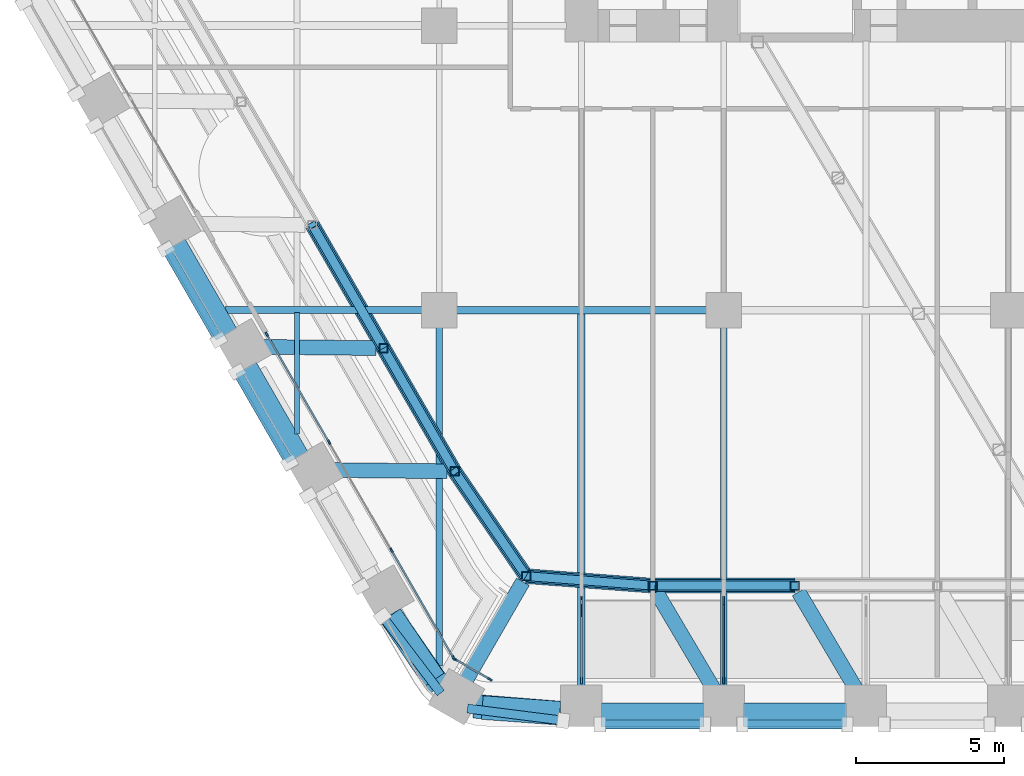
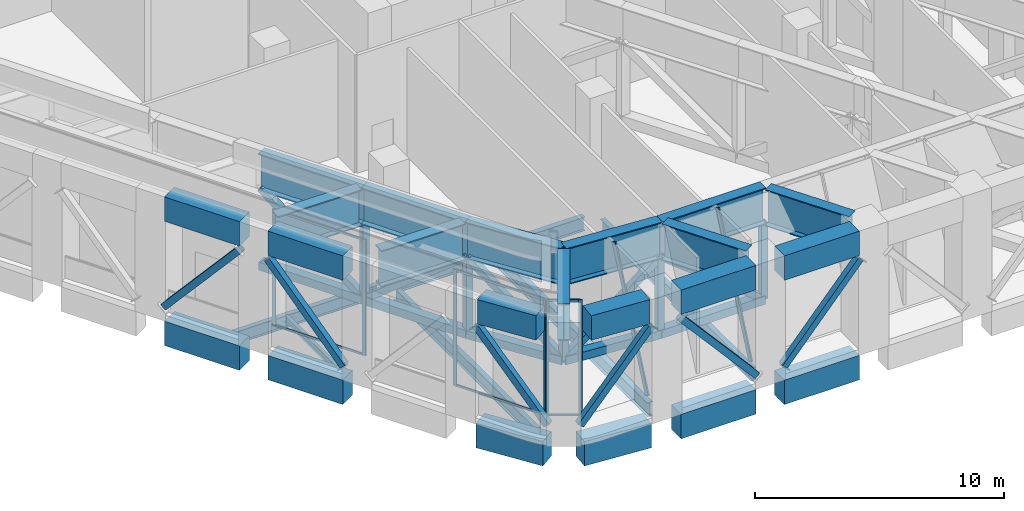
# One storey, part 2 of 35: 35 members, 28 beams, 3 elements without a shape of their own.
"""IFC4 building model written with IfcOpenShell, lengths in metres."""

from ifc_helpers import new_model, si_unit, direction, frame, origin, origin_2d, place, context, subcontext, project, spatial, rectangle, hollow_rectangle, i_section, extrude, material, material_profile, profile_set, type_object, element, aggregate, save


model = new_model("IFC4")

# Units and contexts
model_context = context("Model", 3, precision=1e-05, world=origin(), true_north=direction((0.0, 1.0)))
body_context = subcontext(model_context, "Body", "Model", "MODEL_VIEW")
ifc_project = project(units=[si_unit("LENGTHUNIT", "METRE"), si_unit("AREAUNIT", "SQUARE_METRE"), si_unit("VOLUMEUNIT", "CUBIC_METRE"), si_unit("PLANEANGLEUNIT", "RADIAN"), si_unit("MASSUNIT", "GRAM", prefix="KILO")], contexts=[model_context])

# Site, building, storey
site_placement = place(None, origin())
site = spatial("IfcSite", under=ifc_project, at=site_placement, CompositionType="ELEMENT")
building_placement = place(site_placement, origin())
building = spatial("IfcBuilding", under=site, at=building_placement, Name="Kolab Exchange Tower", CompositionType="ELEMENT")
storey_placement = place(building_placement, frame((0.0, 0.0, 71.89990234375)))
storey = spatial("IfcBuildingStorey", under=building, at=storey_placement, Name="L13", CompositionType="ELEMENT", Elevation=71.89990234375)

# Members
ifc_material_1 = material(Name="Steel S355", Category="steel")
ifc_material_profile_1 = material_profile(ifc_material_1, hollow_rectangle(XDim=0.300048828125, YDim=0.300048828125, WallThickness=0.01611328125, at=origin_2d()), Name="HSS300X300X16")
ifc_profile_set_1 = profile_set([ifc_material_profile_1], Name="Steel S355")
member_type_1 = type_object("IfcMemberType", Name="BELT TRUSS BRACE HSS300X300X16", PredefinedType="BRACE", material=ifc_profile_set_1)
member_1_placement = place(storey_placement, frame((-7.199951171875, -28.49853515625, 0.25), z_axis=(-0.788027411976, 0.0, 0.615640152991), x_axis=(0.0, -1.0, 0.0)))
element("IfcMember", 1, at=member_1_placement, inside=storey, type_object=member_type_1, Name="mem/L13/ring/d-F4-06", PredefinedType="BRACE", context=body_context, shape_type="SweptSolid", body=[
    extrude(hollow_rectangle(XDim=0.300048828125, YDim=0.300048828125, WallThickness=0.01611328125, at=origin_2d()), origin(), (0.0, 0.0, 1.0), 6.09130859375),
])
for number, where, z_axis, x_axis, name in (
    (2, (-12.0, -28.49853515625, 4.0), (-0.750009259501, 0.056504902166, -0.659009337334), (-0.075126035074, -0.99717404642, 0.0), "mem/L13/ring/d-F4-07"),
    (3, (-16.267822265625, -28.177001953125, 0.25), (-0.423966788791, 0.621277379932, 0.658989058473), (-0.825999194724, -0.563671296338, 0.0), "mem/L13/ring/d-F5-01"),
):
    element("IfcMember", number, at=place(storey_placement, frame(where, z_axis=z_axis, x_axis=x_axis)), inside=storey, type_object=member_type_1, Name=name, PredefinedType="BRACE", context=body_context, shape_type="SweptSolid", body=[
        extrude(hollow_rectangle(XDim=0.300048828125, YDim=0.300048828125, WallThickness=0.01611328125, at=origin_2d()), origin(), (0.0, 0.0, 1.0), 5.6904296875),
    ])
member_2_placement = place(storey_placement, frame((-18.680419921875, -24.6416015625, 4.0), z_axis=(-0.393995973328, 0.682458742407, -0.615643758934), x_axis=(-0.866037363387, -0.499979284789, 0.0)))
element("IfcMember", 4, at=member_2_placement, inside=storey, type_object=member_type_1, Name="mem/L13/ring/d-F5-02", PredefinedType="BRACE", context=body_context, shape_type="SweptSolid", body=[
    extrude(hollow_rectangle(XDim=0.300048828125, YDim=0.300048828125, WallThickness=0.01611328125, at=origin_2d()), origin(), (0.0, 0.0, 1.0), 6.091064453125),
])
member_3_placement = place(storey_placement, frame((-21.080322265625, -20.484619140625, 0.25), z_axis=(-0.394029831617, 0.682447964901, 0.615634036582), x_axis=(-0.866015339567, -0.500017431331, 0.0)))
element("IfcMember", 5, at=member_3_placement, inside=storey, type_object=member_type_1, Name="mem/L13/ring/d-F5-03", PredefinedType="BRACE", context=body_context, shape_type="SweptSolid", body=[
    extrude(hollow_rectangle(XDim=0.300048828125, YDim=0.300048828125, WallThickness=0.01611328125, at=origin_2d()), origin(), (0.0, 0.0, 1.0), 6.09130859375),
])
for number, where, z_axis, x_axis, name in (
    (6, (-5.433837890625, -33.1796875, 4.4501953125), (-0.65728476619, 0.0, -0.753642313127), (0.0, -1.0, 0.0), "mem/L13/fb/F4-06"),
    (7, (-10.23388671875, -33.1796875, 0.400146484375), (-0.65728476619, 0.0, 0.753642313127), (0.0, -1.0, 0.0), "mem/L13/fb/F4-07"),
):
    element("IfcMember", number, at=place(storey_placement, frame(where, z_axis=z_axis, x_axis=x_axis)), inside=storey, type_object=member_type_1, Name=name, PredefinedType="BRACE", context=body_context, shape_type="SweptSolid", body=[
        extrude(hollow_rectangle(XDim=0.300048828125, YDim=0.300048828125, WallThickness=0.01611328125, at=origin_2d()), origin(), (0.0, 0.0, 1.0), 5.3740234375),
    ])
for number, where, z_axis, x_axis, name in (
    (8, (-15.029296875, -33.052734375, 4.4501953125), (-0.605882230288, 0.076660116745, -0.791852227074), (-0.125525655119, -0.992090373861, 0.0), "mem/L13/fb/F4-08"),
    (9, (-19.220947265625, -32.02978515625, 0.400146484375), (-0.369353435325, 0.486393319457, 0.791833049703), (-0.7964030968, -0.604766159278, 0.0), "mem/L13/fb/F5-01"),
):
    element("IfcMember", number, at=place(storey_placement, frame(where, z_axis=z_axis, x_axis=x_axis)), inside=storey, type_object=member_type_1, Name=name, PredefinedType="BRACE", context=body_context, shape_type="SweptSolid", body=[
        extrude(hollow_rectangle(XDim=0.300048828125, YDim=0.300048828125, WallThickness=0.01611328125, at=origin_2d()), origin(), (0.0, 0.0, 1.0), 5.11474609375),
    ])
member_4_placement = place(storey_placement, frame((-24.251220703125, -24.354736328125, 0.400146484375), z_axis=(-0.328679977978, 0.569227384114, 0.753624347571), x_axis=(-0.866001427184, -0.500041526391, 0.0)))
element("IfcMember", 10, at=member_4_placement, inside=storey, type_object=member_type_1, Name="mem/L13/fb/F5-03", PredefinedType="BRACE", context=body_context, shape_type="SweptSolid", body=[
    extrude(hollow_rectangle(XDim=0.300048828125, YDim=0.300048828125, WallThickness=0.01611328125, at=origin_2d()), origin(), (0.0, 0.0, 1.0), 5.3740234375),
])
member_5_placement = place(storey_placement, frame((-26.6513671875, -20.19775390625, 4.4501953125), z_axis=(-0.328647954349, 0.569205172801, -0.753655089121), x_axis=(-0.866014075672, -0.500019620354, 0.0)))
element("IfcMember", 11, at=member_5_placement, inside=storey, type_object=member_type_1, Name="mem/L13/fb/F5-04", PredefinedType="BRACE", context=body_context, shape_type="SweptSolid", body=[
    extrude(hollow_rectangle(XDim=0.300048828125, YDim=0.300048828125, WallThickness=0.01611328125, at=origin_2d()), origin(), (0.0, 0.0, 1.0), 5.373779296875),
])
ifc_material_profile_2 = material_profile(ifc_material_1, hollow_rectangle(XDim=0.39990234375, YDim=0.39990234375, WallThickness=0.02001953125, at=origin_2d()), Name="HSS400X400X20")
ifc_profile_set_2 = profile_set([ifc_material_profile_2], Name="Steel S355")
member_type_2 = type_object("IfcMemberType", Name="BELT TRUSS CHORD HSS400X400X20", PredefinedType="CHORD", material=ifc_profile_set_2)
member_6_placement = place(storey_placement, frame((-7.199951171875, -28.49853515625, 0.25), z_axis=(-1.0, 0.0, 0.0), x_axis=(0.0, -1.0, 0.0)))
element("IfcMember", 12, at=member_6_placement, inside=storey, type_object=member_type_2, Name="mem/L13/ring/c-F4-06", PredefinedType="CHORD", context=body_context, shape_type="SweptSolid", body=[
    extrude(hollow_rectangle(XDim=0.39990234375, YDim=0.39990234375, WallThickness=0.02001953125, at=origin_2d()), origin(), (0.0, 0.0, 1.0), 4.800048828125),
])
for number, where, z_axis, x_axis, name in (
    (13, (-12.0, -28.49853515625, 0.25), (-0.99717404642, 0.075126035074, 0.0), (-0.075126035074, -0.99717404642, 0.0), "mem/L13/ring/c-F4-07"),
    (14, (-16.267822265625, -28.177001953125, 0.25), (-0.563671296338, 0.825999194724, 0.0), (-0.825999194724, -0.563671296338, 0.0), "mem/L13/ring/c-F5-01"),
):
    element("IfcMember", number, at=place(storey_placement, frame(where, z_axis=z_axis, x_axis=x_axis)), inside=storey, type_object=member_type_2, Name=name, PredefinedType="CHORD", context=body_context, shape_type="SweptSolid", body=[
        extrude(hollow_rectangle(XDim=0.39990234375, YDim=0.39990234375, WallThickness=0.02001953125, at=origin_2d()), origin(), (0.0, 0.0, 1.0), 4.280029296875),
    ])
for number, where, z_axis, x_axis, name in (
    (15, (-18.680419921875, -24.6416015625, 0.25), (-0.499979284789, 0.866037363387, 0.0), (-0.866037363387, -0.499979284789, 0.0), "mem/L13/ring/c-F5-02"),
    (16, (-21.080322265625, -20.484619140625, 0.25), (-0.500017431331, 0.866015339567, 0.0), (-0.866015339567, -0.500017431331, 0.0), "mem/L13/ring/c-F5-03"),
):
    element("IfcMember", number, at=place(storey_placement, frame(where, z_axis=z_axis, x_axis=x_axis)), inside=storey, type_object=member_type_2, Name=name, PredefinedType="CHORD", context=body_context, shape_type="SweptSolid", body=[
        extrude(hollow_rectangle(XDim=0.39990234375, YDim=0.39990234375, WallThickness=0.02001953125, at=origin_2d()), origin(), (0.0, 0.0, 1.0), 4.800048828125),
    ])

# Beams
ifc_material_profile_3 = material_profile(ifc_material_1, i_section(OverallWidth=0.5, OverallDepth=1.800048828125, WebThickness=0.031982421875, FlangeThickness=0.050048828125, at=origin_2d()), Name="PG1800X500")
ifc_profile_set_3 = profile_set([ifc_material_profile_3], Name="Steel S355")
beam_type_1 = type_object("IfcBeamType", Name="BELT TRUSS GIRDER PG1800X500", PredefinedType="BEAM", material=ifc_profile_set_3)
beam_1_placement = place(storey_placement, frame((-7.199951171875, -28.49853515625, 4.900146484375), z_axis=(-1.0, 0.0, 0.0), x_axis=(0.0, -1.0, 0.0)))
element("IfcBeam", 17, at=beam_1_placement, inside=storey, type_object=beam_type_1, Name="beam/L13/bg/F4-run4", PredefinedType="BEAM", context=body_context, shape_type="SweptSolid", body=[
    extrude(i_section(OverallWidth=0.5, OverallDepth=1.800048828125, WebThickness=0.031982421875, FlangeThickness=0.050048828125, at=origin_2d()), origin(), (0.0, 0.0, 1.0), 4.800048828125),
])
for number, where, z_axis, x_axis, name in (
    (18, (-12.0, -28.49853515625, 4.900146484375), (-0.99717404642, 0.075126035074, 0.0), (-0.075126035074, -0.99717404642, 0.0), "beam/L13/bg/F4-out"),
    (19, (-16.267822265625, -28.177001953125, 4.900146484375), (-0.563671296338, 0.825999194724, 0.0), (-0.825999194724, -0.563671296338, 0.0), "beam/L13/bg/F5-in"),
):
    element("IfcBeam", number, at=place(storey_placement, frame(where, z_axis=z_axis, x_axis=x_axis)), inside=storey, type_object=beam_type_1, Name=name, PredefinedType="BEAM", context=body_context, shape_type="SweptSolid", body=[
        extrude(i_section(OverallWidth=0.5, OverallDepth=1.800048828125, WebThickness=0.031982421875, FlangeThickness=0.050048828125, at=origin_2d()), origin(), (0.0, 0.0, 1.0), 4.280029296875),
    ])
for number, where, z_axis, x_axis, name in (
    (20, (-18.680419921875, -24.6416015625, 4.900146484375), (-0.499979284789, 0.866037363387, 0.0), (-0.866037363387, -0.499979284789, 0.0), "beam/L13/bg/F5-run0"),
    (21, (-21.080322265625, -20.484619140625, 4.900146484375), (-0.500017431331, 0.866015339567, 0.0), (-0.866015339567, -0.500017431331, 0.0), "beam/L13/bg/F5-run1"),
):
    element("IfcBeam", number, at=place(storey_placement, frame(where, z_axis=z_axis, x_axis=x_axis)), inside=storey, type_object=beam_type_1, Name=name, PredefinedType="BEAM", context=body_context, shape_type="SweptSolid", body=[
        extrude(i_section(OverallWidth=0.5, OverallDepth=1.800048828125, WebThickness=0.031982421875, FlangeThickness=0.050048828125, at=origin_2d()), origin(), (0.0, 0.0, 1.0), 4.800048828125),
    ])

# Members
ifc_material_profile_4 = material_profile(ifc_material_1, hollow_rectangle(XDim=0.300048828125, YDim=0.300048828125, WallThickness=0.01611328125, at=origin_2d()), Name="HSS300X300X16")
ifc_profile_set_4 = profile_set([ifc_material_profile_4], Name="Steel S355")
member_type_3 = type_object("IfcMemberType", Name="BELT TRUSS POST HSS300X300X16", PredefinedType="POST", material=ifc_profile_set_4)
for number, where, z_axis, x_axis, name in (
    (22, (-7.199951171875, -28.49853515625, 0.25), (0.0, 0.0, 1.0), (1.0, 0.0, 0.0), "mem/L13/ring/p-F4-06"),
    (23, (-12.0, -28.49853515625, 0.25), (0.0, 0.0, 1.0), (1.0, 0.0, 0.0), "mem/L13/ring/p-F4-07"),
    (24, (-16.267822265625, -28.177001953125, 0.25), (0.0, 0.0, 1.0), (1.0, 0.0, 0.0), "mem/L13/ring/p-F5-01"),
    (25, (-18.680419921875, -24.6416015625, 0.25), (0.0, 0.0, 1.0), (1.0, 0.0, 0.0), "mem/L13/ring/p-F5-02"),
    (26, (-21.080322265625, -20.484619140625, 0.25), (0.0, 0.0, 1.0), (1.0, 0.0, 0.0), "mem/L13/ring/p-F5-03"),
):
    element("IfcMember", number, at=place(storey_placement, frame(where, z_axis=z_axis, x_axis=x_axis)), inside=storey, type_object=member_type_3, Name=name, PredefinedType="POST", context=body_context, shape_type="SweptSolid", body=[
        extrude(hollow_rectangle(XDim=0.300048828125, YDim=0.300048828125, WallThickness=0.01611328125, at=origin_2d()), origin(), (0.0, 0.0, 1.0), 3.75),
    ])

# Curtain wall, members
ifc_material_2 = material(Name="Aluminium EN AW-6063 T6", Category="aluminium")
curtain_wall_type_1 = type_object("IfcCurtainWallType", Name="CANTED BAND CURTAIN WALL", PredefinedType="NOTDEFINED", material=ifc_material_2)
curtain_wall_1_placement = place(storey_placement, origin())
curtain_wall_1 = element("IfcCurtainWall", 27, at=curtain_wall_1_placement, inside=storey, type_object=curtain_wall_type_1, Name="band/L13/F4", PredefinedType="NOTDEFINED")
ifc_material_profile_5 = material_profile(ifc_material_2, rectangle(XDim=0.06005859375, YDim=0.300048828125, at=origin_2d()), Name="RECT 60X300")
ifc_profile_set_5 = profile_set([ifc_material_profile_5], Name="Aluminium EN AW-6063 T6")
member_type_4 = type_object("IfcMemberType", Name="CANTED BAND MULLION 60 X 300", PredefinedType="MULLION", material=ifc_profile_set_5)
member_7_placement = place(storey_placement, frame((-9.60009765625, -31.67529296875, -0.099853515625), z_axis=(0.0, 0.410847632271, 0.91170402163), x_axis=(-1.0, 0.0, 0.0)))
member_7 = element("IfcMember", 28, at=member_7_placement, type_object=member_type_4, Name="Band mullion", PredefinedType="MULLION", context=body_context, shape_type="SweptSolid", body=[
    extrude(rectangle(XDim=0.06005859375, YDim=0.300048828125, at=origin_2d()), origin(), (0.0, 0.0, 1.0), 6.51513671875),
])
member_8_placement = place(storey_placement, frame((-14.39990234375, -31.67529296875, -0.099853515625), z_axis=(0.0, 0.410847632271, 0.91170402163), x_axis=(-1.0, 0.0, 0.0)))
member_8 = element("IfcMember", 29, at=member_8_placement, type_object=member_type_4, Name="Band mullion", PredefinedType="MULLION", context=body_context, shape_type="SweptSolid", body=[
    extrude(rectangle(XDim=0.06005859375, YDim=0.300048828125, at=origin_2d()), origin(), (0.0, 0.0, 1.0), 6.51513671875),
])
aggregate(curtain_wall_1, [member_7, member_8])

# Beams
ifc_material_profile_6 = material_profile(ifc_material_1, i_section(OverallWidth=0.1650390625, OverallDepth=0.31005859375, WebThickness=0.005859375, FlangeThickness=0.009765625, at=origin_2d()), Name="W310X39")
ifc_profile_set_6 = profile_set([ifc_material_profile_6], Name="Steel S355")
beam_type_2 = type_object("IfcBeamType", Name="FLOOR BEAM W310X39", PredefinedType="BEAM", material=ifc_profile_set_6)
beam_2_placement = place(storey_placement, frame((-24.0, -23.381591796875, -0.454833984375), z_axis=(0.0, 1.0, 0.0), x_axis=(-1.0, 0.0, 0.0)))
element("IfcBeam", 30, at=beam_2_placement, inside=storey, type_object=beam_type_2, Name="beam/L13/fr/006", PredefinedType="BEAM", context=body_context, shape_type="SweptSolid", body=[
    extrude(i_section(OverallWidth=0.1650390625, OverallDepth=0.31005859375, WebThickness=0.005859375, FlangeThickness=0.009765625, at=origin_2d()), origin(), (0.0, 0.0, 1.0), 4.107666015625),
])
ifc_material_profile_7 = material_profile(ifc_material_1, i_section(OverallWidth=0.22802734375, OverallDepth=0.60791015625, WebThickness=0.01123046875, FlangeThickness=0.017333984375, at=origin_2d()), Name="W610X113")
ifc_profile_set_7 = profile_set([ifc_material_profile_7], Name="Steel S355")
beam_type_3 = type_object("IfcBeamType", Name="FLOOR BEAM W610X113", PredefinedType="BEAM", material=ifc_profile_set_7)
beam_3_placement = place(storey_placement, frame((-19.199951171875, -31.214599609375, -0.60400390625), z_axis=(0.0, 1.0, 0.0), x_axis=(-1.0, 0.0, 0.0)))
element("IfcBeam", 31, at=beam_3_placement, inside=storey, type_object=beam_type_3, Name="beam/L13/fr/012", PredefinedType="BEAM", context=body_context, shape_type="SweptSolid", body=[
    extrude(i_section(OverallWidth=0.22802734375, OverallDepth=0.60791015625, WebThickness=0.01123046875, FlangeThickness=0.017333984375, at=origin_2d()), origin(), (0.0, 0.0, 1.0), 11.45458984375),
])
beam_4_placement = place(storey_placement, frame((-9.60009765625, -31.8955078125, -0.60400390625), z_axis=(0.0, 1.0, 0.0), x_axis=(-1.0, 0.0, 0.0)))
element("IfcBeam", 32, at=beam_4_placement, inside=storey, type_object=beam_type_3, Name="beam/L13/fr/022", PredefinedType="BEAM", context=body_context, shape_type="SweptSolid", body=[
    extrude(i_section(OverallWidth=0.22802734375, OverallDepth=0.60791015625, WebThickness=0.01123046875, FlangeThickness=0.017333984375, at=origin_2d()), origin(), (0.0, 0.0, 1.0), 12.135498046875),
])
ifc_material_profile_8 = material_profile(ifc_material_1, i_section(OverallWidth=0.25390625, OverallDepth=0.68408203125, WebThickness=0.012451171875, FlangeThickness=0.018798828125, at=origin_2d()), Name="W690X140")
ifc_profile_set_8 = profile_set([ifc_material_profile_8], Name="Steel S355")
beam_type_4 = type_object("IfcBeamType", Name="FLOOR BEAM W690X140", PredefinedType="BEAM", material=ifc_profile_set_8)
beam_5_placement = place(storey_placement, frame((-14.39990234375, -31.8955078125, -0.641845703125), z_axis=(0.0, 1.0, 0.0), x_axis=(-1.0, 0.0, 0.0)))
element("IfcBeam", 33, at=beam_5_placement, inside=storey, type_object=beam_type_4, Name="beam/L13/fr/018", PredefinedType="BEAM", context=body_context, shape_type="SweptSolid", body=[
    extrude(i_section(OverallWidth=0.25390625, OverallDepth=0.68408203125, WebThickness=0.012451171875, FlangeThickness=0.018798828125, at=origin_2d()), origin(), (0.0, 0.0, 1.0), 12.6083984375),
])
ifc_material_profile_9 = material_profile(ifc_material_1, i_section(OverallWidth=0.22802734375, OverallDepth=0.60791015625, WebThickness=0.01123046875, FlangeThickness=0.017333984375, at=origin_2d()), Name="W610X113")
ifc_profile_set_9 = profile_set([ifc_material_profile_9], Name="Steel S355")
beam_type_5 = type_object("IfcBeamType", Name="FLOOR GIRDER W610X113", PredefinedType="BEAM", material=ifc_profile_set_9)
beam_6_placement = place(storey_placement, frame((-26.43115234375, -19.199951171875, -0.60400390625), z_axis=(1.0, 0.0, 0.0), x_axis=(0.0, 1.0, 0.0)))
element("IfcBeam", 34, at=beam_6_placement, inside=storey, type_object=beam_type_5, Name="beam/L13/gd/004", PredefinedType="BEAM", context=body_context, shape_type="SweptSolid", body=[
    extrude(i_section(OverallWidth=0.22802734375, OverallDepth=0.60791015625, WebThickness=0.01123046875, FlangeThickness=0.017333984375, at=origin_2d()), origin(), (0.0, 0.0, 1.0), 6.671142578125),
])
ifc_material_profile_10 = material_profile(ifc_material_1, i_section(OverallWidth=0.25390625, OverallDepth=0.68408203125, WebThickness=0.012451171875, FlangeThickness=0.018798828125, at=origin_2d()), Name="W690X140")
ifc_profile_set_10 = profile_set([ifc_material_profile_10], Name="Steel S355")
beam_type_6 = type_object("IfcBeamType", Name="FLOOR GIRDER W690X140", PredefinedType="BEAM", material=ifc_profile_set_10)
beam_7_placement = place(storey_placement, frame((-18.639892578125, -19.199951171875, -0.641845703125), z_axis=(1.0, 0.0, 0.0), x_axis=(0.0, 1.0, 0.0)))
element("IfcBeam", 35, at=beam_7_placement, inside=storey, type_object=beam_type_6, Name="beam/L13/gd/006", PredefinedType="BEAM", context=body_context, shape_type="SweptSolid", body=[
    extrude(i_section(OverallWidth=0.25390625, OverallDepth=0.68408203125, WebThickness=0.012451171875, FlangeThickness=0.018798828125, at=origin_2d()), origin(), (0.0, 0.0, 1.0), 8.47998046875),
])
ifc_material_3 = material(Name="Concrete C80/95", Category="concrete")
ifc_material_profile_11 = material_profile(ifc_material_3, rectangle(XDim=0.800048828125, YDim=1.199951171875, at=origin_2d()), Name="RC800X1200")
ifc_profile_set_11 = profile_set([ifc_material_profile_11], Name="Concrete C80/95")
beam_type_7 = type_object("IfcBeamType", Name="SPANDREL BEAM 800X1200 C80/95", PredefinedType="BEAM", material=ifc_profile_set_11)
for number, where, z_axis, x_axis, name in (
    (36, (-5.4599609375, -32.85546875, -0.89990234375), (-1.0, 0.0, 0.0), (0.0, -1.0, 0.0), "beam/L13/sp/F4-06"),
    (37, (-10.260009765625, -32.85546875, -0.89990234375), (-1.0, 0.0, 0.0), (0.0, -1.0, 0.0), "beam/L13/sp/F4-07"),
):
    element("IfcBeam", number, at=place(storey_placement, frame(where, z_axis=z_axis, x_axis=x_axis)), inside=storey, type_object=beam_type_7, Name=name, PredefinedType="BEAM", context=body_context, shape_type="SweptSolid", body=[
        extrude(rectangle(XDim=0.800048828125, YDim=1.199951171875, at=origin_2d()), origin(), (0.0, 0.0, 1.0), 3.47998046875),
    ])
beam_8_placement = place(storey_placement, frame((-15.06005859375, -32.802734375, -0.89990234375), z_axis=(-0.996833978278, 0.07951112973, 0.0), x_axis=(-0.07951112973, -0.996833978278, 0.0)))
element("IfcBeam", 38, at=beam_8_placement, inside=storey, type_object=beam_type_7, Name="beam/L13/sp/F4-08", PredefinedType="BEAM", context=body_context, shape_type="SweptSolid", body=[
    extrude(rectangle(XDim=0.800048828125, YDim=1.199951171875, at=origin_2d()), origin(), (0.0, 0.0, 1.0), 2.984619140625),
])
beam_9_placement = place(storey_placement, frame((-19.18505859375, -31.901611328125, -0.89990234375), z_axis=(-0.567247290755, 0.823547516013, 0.0), x_axis=(-0.823547516013, -0.567247290755, 0.0)))
element("IfcBeam", 39, at=beam_9_placement, inside=storey, type_object=beam_type_7, Name="beam/L13/sp/F5-01", PredefinedType="BEAM", context=body_context, shape_type="SweptSolid", body=[
    extrude(rectangle(XDim=0.800048828125, YDim=1.199951171875, at=origin_2d()), origin(), (0.0, 0.0, 1.0), 2.984375),
])
for number, where, z_axis, x_axis, name in (
    (40, (-23.983642578125, -24.169921875, -0.89990234375), (-0.500009906705, 0.86601968407, 0.0), (-0.86601968407, -0.500009906705, 0.0), "beam/L13/sp/F5-03"),
    (41, (-26.383544921875, -20.012939453125, -0.89990234375), (-0.500009906705, 0.86601968407, 0.0), (-0.86601968407, -0.500009906705, 0.0), "beam/L13/sp/F5-04"),
    (42, (-5.4599609375, -32.85546875, 5.2001953125), (-1.0, 0.0, 0.0), (0.0, -1.0, 0.0), "beam/L13/cp/F4-06"),
    (43, (-10.260009765625, -32.85546875, 5.2001953125), (-1.0, 0.0, 0.0), (0.0, -1.0, 0.0), "beam/L13/cp/F4-07"),
):
    element("IfcBeam", number, at=place(storey_placement, frame(where, z_axis=z_axis, x_axis=x_axis)), inside=storey, type_object=beam_type_7, Name=name, PredefinedType="BEAM", context=body_context, shape_type="SweptSolid", body=[
        extrude(rectangle(XDim=0.800048828125, YDim=1.199951171875, at=origin_2d()), origin(), (0.0, 0.0, 1.0), 3.47998046875),
    ])
beam_10_placement = place(storey_placement, frame((-15.129150390625, -32.802978515625, 5.2001953125), z_axis=(-0.997338344105, 0.072912463799, 0.0), x_axis=(-0.072912463799, -0.997338344105, 0.0)))
element("IfcBeam", 44, at=beam_10_placement, inside=storey, type_object=beam_type_7, Name="beam/L13/cp/F4-08", PredefinedType="BEAM", context=body_context, shape_type="SweptSolid", body=[
    extrude(rectangle(XDim=0.800048828125, YDim=1.199951171875, at=origin_2d()), origin(), (0.0, 0.0, 1.0), 2.625244140625),
])
beam_11_placement = place(storey_placement, frame((-19.368896484375, -31.67529296875, 5.2001953125), z_axis=(-0.561762947401, 0.827298247869, 0.0), x_axis=(-0.827298247869, -0.561762947401, 0.0)))
element("IfcBeam", 45, at=beam_11_placement, inside=storey, type_object=beam_type_7, Name="beam/L13/cp/F5-01", PredefinedType="BEAM", context=body_context, shape_type="SweptSolid", body=[
    extrude(rectangle(XDim=0.800048828125, YDim=1.199951171875, at=origin_2d()), origin(), (0.0, 0.0, 1.0), 2.625),
])
for number, where, z_axis, x_axis, name in (
    (46, (-23.983642578125, -24.169921875, 5.2001953125), (-0.500009906705, 0.86601968407, 0.0), (-0.86601968407, -0.500009906705, 0.0), "beam/L13/cp/F5-03"),
    (47, (-26.383544921875, -20.012939453125, 5.2001953125), (-0.500009906705, 0.86601968407, 0.0), (-0.86601968407, -0.500009906705, 0.0), "beam/L13/cp/F5-04"),
):
    element("IfcBeam", number, at=place(storey_placement, frame(where, z_axis=z_axis, x_axis=x_axis)), inside=storey, type_object=beam_type_7, Name=name, PredefinedType="BEAM", context=body_context, shape_type="SweptSolid", body=[
        extrude(rectangle(XDim=0.800048828125, YDim=1.199951171875, at=origin_2d()), origin(), (0.0, 0.0, 1.0), 3.47998046875),
    ])
ifc_material_profile_12 = material_profile(ifc_material_1, i_section(OverallWidth=0.5, OverallDepth=1.800048828125, WebThickness=0.031982421875, FlangeThickness=0.050048828125, at=origin_2d()), Name="PG1800X500")
ifc_profile_set_12 = profile_set([ifc_material_profile_12], Name="Steel S355")
beam_type_8 = type_object("IfcBeamType", Name="TRANSFER GIRDER PG1800X500", PredefinedType="BEAM", material=ifc_profile_set_12)
for number, where, z_axis, x_axis, name in (
    (48, (-7.07275390625, -28.713623046875, 4.900146484375), (0.509175144826, -0.860662925826, 0.0), (0.860662925826, 0.509175144826, 0.0), "beam/L13/tg/F4-06"),
    (49, (-11.872802734375, -28.713623046875, 4.900146484375), (0.509175144826, -0.860662925826, 0.0), (0.860662925826, 0.509175144826, 0.0), "beam/L13/tg/F4-07"),
):
    element("IfcBeam", number, at=place(storey_placement, frame(where, z_axis=z_axis, x_axis=x_axis)), inside=storey, type_object=beam_type_8, Name=name, PredefinedType="BEAM", context=body_context, shape_type="SweptSolid", body=[
        extrude(i_section(OverallWidth=0.5, OverallDepth=1.800048828125, WebThickness=0.031982421875, FlangeThickness=0.050048828125, at=origin_2d()), origin(), (0.0, 0.0, 1.0), 3.873779296875),
    ])
beam_12_placement = place(storey_placement, frame((-16.3779296875, -28.367431640625, 4.900146484375), z_axis=(-0.500006760876, -0.866021500355, 0.0), x_axis=(0.866021500355, -0.500006760876, 0.0)))
element("IfcBeam", 50, at=beam_12_placement, inside=storey, type_object=beam_type_8, Name="beam/L13/tg/F5-01", PredefinedType="BEAM", context=body_context, shape_type="SweptSolid", body=[
    extrude(i_section(OverallWidth=0.5, OverallDepth=1.800048828125, WebThickness=0.031982421875, FlangeThickness=0.050048828125, at=origin_2d()), origin(), (0.0, 0.0, 1.0), 3.89013671875),
])
beam_13_placement = place(storey_placement, frame((-18.930419921875, -24.638916015625, 4.900146484375), z_axis=(-0.999943937573, 0.010588753956, 0.0), x_axis=(-0.010588753956, -0.999943937573, 0.0)))
element("IfcBeam", 51, at=beam_13_placement, inside=storey, type_object=beam_type_8, Name="beam/L13/tg/F5-02", PredefinedType="BEAM", context=body_context, shape_type="SweptSolid", body=[
    extrude(i_section(OverallWidth=0.5, OverallDepth=1.800048828125, WebThickness=0.031982421875, FlangeThickness=0.050048828125, at=origin_2d()), origin(), (0.0, 0.0, 1.0), 3.87353515625),
])
beam_14_placement = place(storey_placement, frame((-21.330322265625, -20.48193359375, 4.900146484375), z_axis=(-0.99994394464, 0.010588086644, 0.0), x_axis=(-0.010588086644, -0.99994394464, 0.0)))
element("IfcBeam", 52, at=beam_14_placement, inside=storey, type_object=beam_type_8, Name="beam/L13/tg/F5-03", PredefinedType="BEAM", context=body_context, shape_type="SweptSolid", body=[
    extrude(i_section(OverallWidth=0.5, OverallDepth=1.800048828125, WebThickness=0.031982421875, FlangeThickness=0.050048828125, at=origin_2d()), origin(), (0.0, 0.0, 1.0), 3.873779296875),
])

# Curtain wall, members
curtain_wall_type_2 = type_object("IfcCurtainWallType", Name="UNITISED LOW ZONE BELT CURTAIN WALL", PredefinedType="NOTDEFINED", material=ifc_material_2)
curtain_wall_2_placement = place(storey_placement, origin())
curtain_wall_2 = element("IfcCurtainWall", 53, at=curtain_wall_2_placement, inside=storey, type_object=curtain_wall_type_2, Name="cw/L13/F5-1", PredefinedType="NOTDEFINED")
ifc_material_profile_13 = material_profile(ifc_material_2, rectangle(XDim=0.06005859375, YDim=0.159912109375, at=origin_2d()), Name="RECT 60X160")
ifc_profile_set_13 = profile_set([ifc_material_profile_13], Name="Aluminium EN AW-6063 T6")
member_type_5 = type_object("IfcMemberType", Name="UNITISED LOW ZONE BELT MULLION 60 X 160", PredefinedType="MULLION", material=ifc_profile_set_13)
member_9_placement = place(storey_placement, frame((-18.712646484375, -30.939453125, 0.0), z_axis=(0.0, 0.0, 1.0), x_axis=(-0.866025393644, -0.500000017564, 0.0)))
member_9 = element("IfcMember", 54, at=member_9_placement, type_object=member_type_5, Name="CW9 mullion 1", PredefinedType="MULLION", context=body_context, shape_type="SweptSolid", body=[
    extrude(rectangle(XDim=0.06005859375, YDim=0.159912109375, at=origin_2d()), origin(), (0.0, 0.0, 1.0), 5.7001953125),
])
member_10_placement = place(storey_placement, frame((-20.80908203125, -27.308349609375, 0.0), z_axis=(0.0, 0.0, 1.0), x_axis=(-0.866025393644, -0.500000017564, 0.0)))
member_10 = element("IfcMember", 55, at=member_10_placement, type_object=member_type_5, Name="CW9 mullion 2", PredefinedType="MULLION", context=body_context, shape_type="SweptSolid", body=[
    extrude(rectangle(XDim=0.06005859375, YDim=0.159912109375, at=origin_2d()), origin(), (0.0, 0.0, 1.0), 5.7001953125),
])
member_11_placement = place(storey_placement, frame((-22.92041015625, -23.651611328125, 0.0), z_axis=(0.0, 0.0, 1.0), x_axis=(-0.866025393644, -0.500000017564, 0.0)))
member_11 = element("IfcMember", 56, at=member_11_placement, type_object=member_type_5, Name="CW9 mullion 3", PredefinedType="MULLION", context=body_context, shape_type="SweptSolid", body=[
    extrude(rectangle(XDim=0.06005859375, YDim=0.159912109375, at=origin_2d()), origin(), (0.0, 0.0, 1.0), 5.7001953125),
])
member_12_placement = place(storey_placement, frame((-25.0166015625, -20.0205078125, 0.0), z_axis=(0.0, 0.0, 1.0), x_axis=(-0.866025393644, -0.500000017564, 0.0)))
member_12 = element("IfcMember", 57, at=member_12_placement, type_object=member_type_5, Name="CW9 mullion 4", PredefinedType="MULLION", context=body_context, shape_type="SweptSolid", body=[
    extrude(rectangle(XDim=0.06005859375, YDim=0.159912109375, at=origin_2d()), origin(), (0.0, 0.0, 1.0), 5.7001953125),
])

curtain_wall_3_placement = place(storey_placement, origin())
curtain_wall_3 = element("IfcCurtainWall", 58, at=curtain_wall_3_placement, inside=storey, type_object=curtain_wall_type_2, Name="cw/L13/F4F5-corner", PredefinedType="NOTDEFINED")
member_13_placement = place(storey_placement, frame((-17.493896484375, -31.660400390625, 0.0), z_axis=(0.0, 0.0, 1.0), x_axis=(-0.50000002237, -0.866025390869, 0.0)))
member_13 = element("IfcMember", 59, at=member_13_placement, type_object=member_type_5, Name="CW9 mullion 1", PredefinedType="MULLION", context=body_context, shape_type="SweptSolid", body=[
    extrude(rectangle(XDim=0.06005859375, YDim=0.159912109375, at=origin_2d()), origin(), (0.0, 0.0, 1.0), 5.7001953125),
])
member_14_placement = place(storey_placement, frame((-18.671630859375, -30.98046875, 0.0), z_axis=(0.0, 0.0, 1.0), x_axis=(-0.50000002237, -0.866025390869, 0.0)))
member_14 = element("IfcMember", 60, at=member_14_placement, type_object=member_type_5, Name="CW9 mullion 2", PredefinedType="MULLION", context=body_context, shape_type="SweptSolid", body=[
    extrude(rectangle(XDim=0.06005859375, YDim=0.159912109375, at=origin_2d()), origin(), (0.0, 0.0, 1.0), 5.7001953125),
])

# Member
ifc_material_profile_14 = material_profile(ifc_material_2, rectangle(XDim=0.06005859375, YDim=0.10009765625, at=origin_2d()), Name="RECT 60X100")
ifc_profile_set_14 = profile_set([ifc_material_profile_14], Name="Aluminium EN AW-6063 T6")
member_type_6 = type_object("IfcMemberType", Name="UNITISED LOW ZONE BELT TRANSOM 60 X 100", PredefinedType="USERDEFINED", material=ifc_profile_set_14)
member_15_placement = place(storey_placement, frame((-18.727783203125, -30.913330078125, 0.030029296875), z_axis=(-0.499983268986, 0.866035063224, 0.0), x_axis=(-0.866035063224, -0.499983268986, 0.0)))
member_15 = element("IfcMember", 61, at=member_15_placement, type_object=member_type_6, Name="CW9 transom 1.1", ObjectType="TRANSOM", PredefinedType="USERDEFINED", context=body_context, shape_type="SweptSolid", body=[
    extrude(rectangle(XDim=0.06005859375, YDim=0.10009765625, at=origin_2d()), origin(), (0.0, 0.0, 1.0), 4.132568359375),
])

member_16_placement = place(storey_placement, frame((-18.727783203125, -30.913330078125, 5.670166015625), z_axis=(-0.499983268986, 0.866035063224, 0.0), x_axis=(-0.866035063224, -0.499983268986, 0.0)))
member_16 = element("IfcMember", 62, at=member_16_placement, type_object=member_type_6, Name="CW9 transom 1.2", ObjectType="TRANSOM", PredefinedType="USERDEFINED", context=body_context, shape_type="SweptSolid", body=[
    extrude(rectangle(XDim=0.06005859375, YDim=0.10009765625, at=origin_2d()), origin(), (0.0, 0.0, 1.0), 4.132568359375),
])

member_17_placement = place(storey_placement, frame((-22.935302734375, -23.62548828125, 0.030029296875), z_axis=(-0.500027577057, 0.866009481578, 0.0), x_axis=(-0.866009481578, -0.500027577057, 0.0)))
member_17 = element("IfcMember", 63, at=member_17_placement, type_object=member_type_6, Name="CW9 transom 3.1", ObjectType="TRANSOM", PredefinedType="USERDEFINED", context=body_context, shape_type="SweptSolid", body=[
    extrude(rectangle(XDim=0.06005859375, YDim=0.10009765625, at=origin_2d()), origin(), (0.0, 0.0, 1.0), 4.132568359375),
])

member_18_placement = place(storey_placement, frame((-22.935302734375, -23.62548828125, 5.670166015625), z_axis=(-0.500027577057, 0.866009481578, 0.0), x_axis=(-0.866009481578, -0.500027577057, 0.0)))
member_18 = element("IfcMember", 64, at=member_18_placement, type_object=member_type_6, Name="CW9 transom 3.2", ObjectType="TRANSOM", PredefinedType="USERDEFINED", context=body_context, shape_type="SweptSolid", body=[
    extrude(rectangle(XDim=0.06005859375, YDim=0.10009765625, at=origin_2d()), origin(), (0.0, 0.0, 1.0), 4.132568359375),
])

aggregate(curtain_wall_2, [member_9, member_10, member_11, member_12, member_15, member_16, member_17, member_18])

member_19_placement = place(storey_placement, frame((-17.52001953125, -31.645263671875, 0.030029296875), z_axis=(-0.86603858612, 0.49997716683, 0.0), x_axis=(-0.49997716683, -0.86603858612, 0.0)))
member_19 = element("IfcMember", 65, at=member_19_placement, type_object=member_type_6, Name="CW9 transom 1.1", ObjectType="TRANSOM", PredefinedType="USERDEFINED", context=body_context, shape_type="SweptSolid", body=[
    extrude(rectangle(XDim=0.06005859375, YDim=0.10009765625, at=origin_2d()), origin(), (0.0, 0.0, 1.0), 1.2998046875),
])

member_20_placement = place(storey_placement, frame((-17.52001953125, -31.645263671875, 5.670166015625), z_axis=(-0.86603858612, 0.49997716683, 0.0), x_axis=(-0.49997716683, -0.86603858612, 0.0)))
member_20 = element("IfcMember", 66, at=member_20_placement, type_object=member_type_6, Name="CW9 transom 1.2", ObjectType="TRANSOM", PredefinedType="USERDEFINED", context=body_context, shape_type="SweptSolid", body=[
    extrude(rectangle(XDim=0.06005859375, YDim=0.10009765625, at=origin_2d()), origin(), (0.0, 0.0, 1.0), 1.2998046875),
])

aggregate(curtain_wall_3, [member_13, member_14, member_19, member_20])

save(model, "model.ifc")
